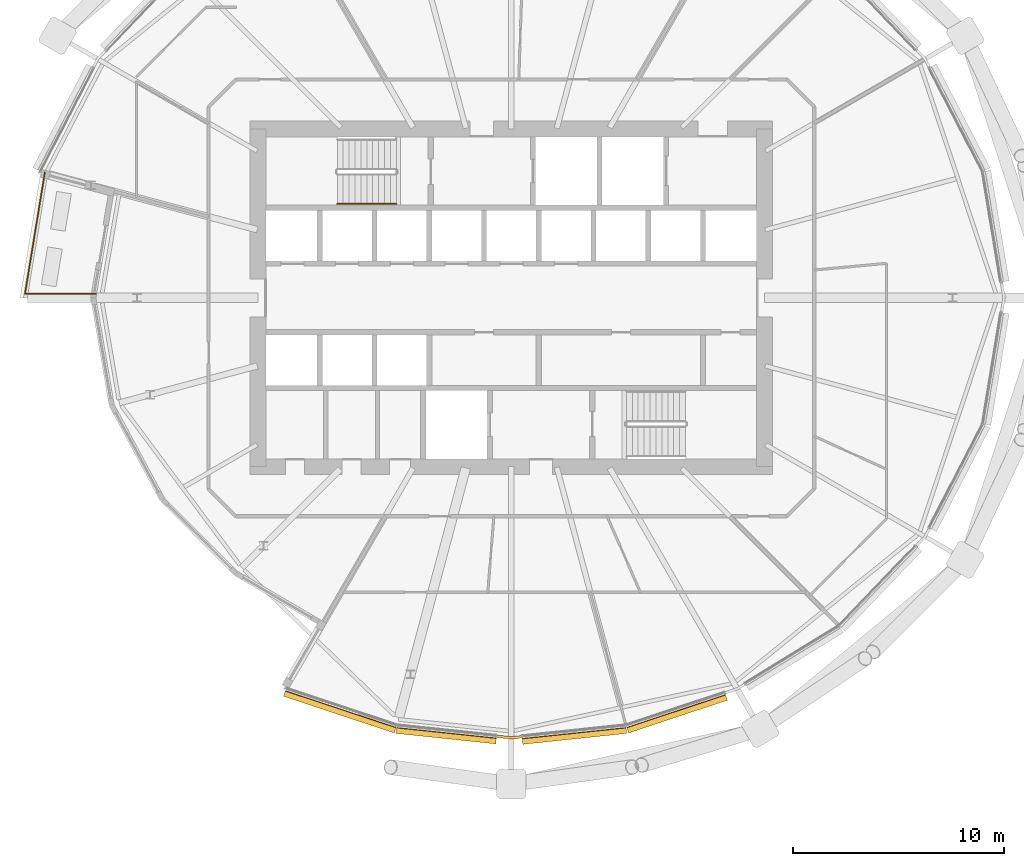
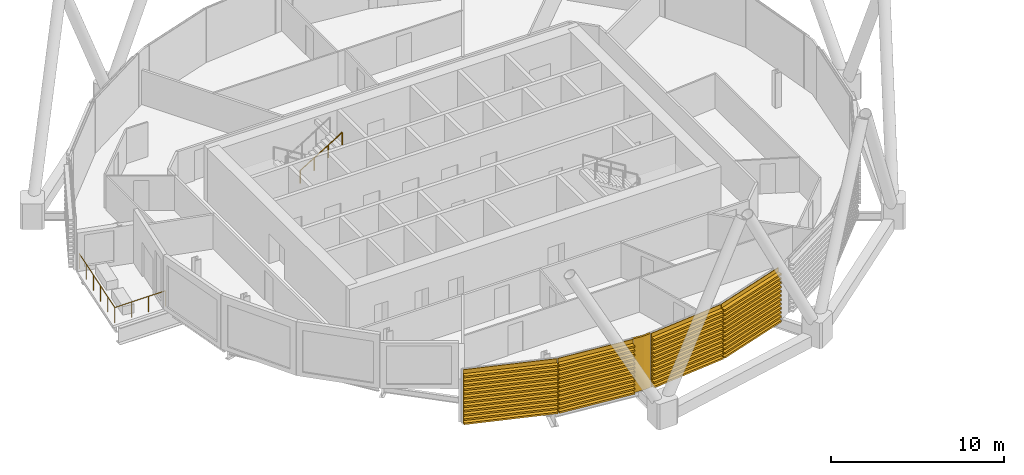
# One storey, part 32 of 38: 5 coverings, 2 railings.
"""IFC4 building model written with IfcOpenShell, lengths in metres."""

from ifc_helpers import new_model, si_unit, direction, frame, origin, origin_2d, place, context, subcontext, project, spatial, polyline, circle, outline, extrude, material, layer, layer_set, material_profile, profile_set, type_object, element, save


model = new_model("IFC4")

# Units and contexts
model_context = context("Model", 3, precision=1e-05, world=origin(), true_north=direction((0.0, 1.0)))
body_context = subcontext(model_context, "Body", "Model", "MODEL_VIEW")
ifc_project = project(units=[si_unit("LENGTHUNIT", "METRE"), si_unit("AREAUNIT", "SQUARE_METRE"), si_unit("VOLUMEUNIT", "CUBIC_METRE"), si_unit("PLANEANGLEUNIT", "RADIAN"), si_unit("MASSUNIT", "GRAM", prefix="KILO")], contexts=[model_context])

# Site, building, storey
site_placement = place(None, origin())
site = spatial("IfcSite", under=ifc_project, at=site_placement, CompositionType="ELEMENT")
building_placement = place(site_placement, origin())
building = spatial("IfcBuilding", under=site, at=building_placement, Name="Rimbun Link Towers", CompositionType="ELEMENT")
storey_placement = place(building_placement, frame((0.0, 0.0, 104.39990234375)))
storey = spatial("IfcBuildingStorey", under=building, at=storey_placement, Name="L25", CompositionType="ELEMENT", Elevation=104.39990234375)

# Railing
ifc_material_1 = material(Name="Stainless steel grade 316", Category="steel")
railing_type_1 = type_object("IfcRailingType", Name="GUARD stainless rail and posts", PredefinedType="GUARDRAIL", material=ifc_material_1)
railing_1_placement = place(storey_placement, frame((-53.852783203125, 5.94287109375, 0.0)))
element("IfcRailing", 1, at=railing_1_placement, inside=storey, type_object=railing_type_1, Name="GUARD", PredefinedType="GUARDRAIL", context=body_context, shape_type="SweptSolid", body=[
    extrude(circle(Radius=0.02392578125, at=origin_2d()), frame((0.0, 0.0, 1.076171875), z_axis=(-0.162255837365, -0.986748723456, 0.0), x_axis=(0.986748723456, -0.162255837365, 0.0)), (0.0, 0.0, 1.0), 5.820068359375),
    extrude(circle(Radius=0.02392578125, at=origin_2d()), frame((-0.9443359375, -5.742919921875, 1.076171875), z_axis=(1.0, 0.0, 0.0), x_axis=(0.0, 1.0, 0.0)), (0.0, 0.0, 1.0), 3.364501953125),
    extrude(circle(Radius=0.02099609375, at=origin_2d()), origin(), (0.0, 0.0, 1.0), 1.052001953125),
    extrude(circle(Radius=0.02099609375, at=origin_2d()), frame((-0.18896484375, -1.148681640625, 0.0)), (0.0, 0.0, 1.0), 1.052001953125),
    extrude(circle(Radius=0.02099609375, at=origin_2d()), frame((-0.377685546875, -2.297119140625, 0.0)), (0.0, 0.0, 1.0), 1.052001953125),
    extrude(circle(Radius=0.02099609375, at=origin_2d()), frame((-0.566650390625, -3.44580078125, 0.0)), (0.0, 0.0, 1.0), 1.052001953125),
    extrude(circle(Radius=0.02099609375, at=origin_2d()), frame((-0.75537109375, -4.59423828125, 0.0)), (0.0, 0.0, 1.0), 1.052001953125),
    extrude(circle(Radius=0.02099609375, at=origin_2d()), frame((-0.9443359375, -5.742919921875, 0.0)), (0.0, 0.0, 1.0), 1.052001953125),
    extrude(circle(Radius=0.02099609375, at=origin_2d()), frame((0.17724609375, -5.742919921875, 0.0)), (0.0, 0.0, 1.0), 1.052001953125),
    extrude(circle(Radius=0.02099609375, at=origin_2d()), frame((1.298583984375, -5.742919921875, 0.0)), (0.0, 0.0, 1.0), 1.052001953125),
    extrude(circle(Radius=0.02099609375, at=origin_2d()), frame((2.420166015625, -5.742919921875, 0.0)), (0.0, 0.0, 1.0), 1.052001953125),
])

# Covering
ifc_material_2 = material(Name="Terracotta", Category="masonry")
ifc_layer = layer(ifc_material_2, 0.1201171875)
ifc_layer_set = layer_set([ifc_layer], Name="LINK PIER terracotta cladding 120")
covering_type_1 = type_object("IfcCoveringType", Name="LINK PIER terracotta cladding 120", PredefinedType="CLADDING", material=ifc_layer_set)
covering_1_placement = place(storey_placement, origin())
element("IfcCovering", 2, at=covering_1_placement, inside=storey, type_object=covering_type_1, Name="LINK PIER cladding", PredefinedType="CLADDING", context=body_context, shape_type="SweptSolid", body=[
    extrude(outline(polyline([(-31.282470703125, -20.73876953125), (-31.75, -20.7880859375), (-32.416259765625, -20.7177734375), (-32.428955078125, -20.837158203125), (-31.75, -20.90869140625), (-31.27001953125, -20.858154296875), (-31.282470703125, -20.73876953125)])), origin(), (0.0, 0.0, 1.0), 3.800048828125),
])

# Railing
ifc_material_3 = material(Name="Stainless steel grade 316", Category="steel")
railing_type_2 = type_object("IfcRailingType", Name="Stair handrail", PredefinedType="HANDRAIL", material=ifc_material_3)
railing_2_placement = place(storey_placement, frame((-40.0, 4.449951171875, 2.07275390625)))
element("IfcRailing", 3, at=railing_2_placement, inside=storey, type_object=railing_type_2, Name="L25 ST1 stair handrail 2", PredefinedType="HANDRAIL", context=body_context, shape_type="SweptSolid", body=[
    extrude(circle(Radius=0.02392578125, at=origin_2d()), frame((0.0, 0.0, 0.8759765625), z_axis=(0.851089632645, 0.0, 0.525020415988), x_axis=(0.0, 1.0, 0.0)), (0.0, 0.0, 1.0), 3.2900390625),
    extrude(circle(Radius=0.02099609375, at=origin_2d()), origin(), (0.0, 0.0, 1.0), 0.851806640625),
    extrude(circle(Radius=0.02099609375, at=origin_2d()), frame((0.933349609375, 0.0, 0.57568359375)), (0.0, 0.0, 1.0), 0.851806640625),
    extrude(circle(Radius=0.02099609375, at=origin_2d()), frame((1.86669921875, 0.0, 1.151611328125)), (0.0, 0.0, 1.0), 0.851806640625),
    extrude(circle(Radius=0.02099609375, at=origin_2d()), frame((2.800048828125, 0.0, 1.727294921875)), (0.0, 0.0, 1.0), 0.851806640625),
])

# Coverings
ifc_material_4 = material(Name="Terracotta", Category="masonry")
ifc_material_profile = material_profile(ifc_material_4, outline(polyline([(0.123046875, 0.0), (0.1630859375, 0.0), (0.1630859375, 0.10009765625), (0.423095703125, 0.10009765625), (0.423095703125, 0.219970703125), (0.1630859375, 0.219970703125), (0.1630859375, 0.39990234375), (0.423095703125, 0.39990234375), (0.423095703125, 0.52001953125), (0.1630859375, 0.52001953125), (0.1630859375, 0.699951171875), (0.423095703125, 0.699951171875), (0.423095703125, 0.820068359375), (0.1630859375, 0.820068359375), (0.1630859375, 1.0), (0.423095703125, 1.0), (0.423095703125, 1.1201171875), (0.1630859375, 1.1201171875), (0.1630859375, 1.300048828125), (0.423095703125, 1.300048828125), (0.423095703125, 1.419921875), (0.1630859375, 1.419921875), (0.1630859375, 1.60009765625), (0.423095703125, 1.60009765625), (0.423095703125, 1.719970703125), (0.1630859375, 1.719970703125), (0.1630859375, 1.89990234375), (0.423095703125, 1.89990234375), (0.423095703125, 2.02001953125), (0.1630859375, 2.02001953125), (0.1630859375, 2.199951171875), (0.423095703125, 2.199951171875), (0.423095703125, 2.320068359375), (0.1630859375, 2.320068359375), (0.1630859375, 2.5), (0.423095703125, 2.5), (0.423095703125, 2.6201171875), (0.1630859375, 2.6201171875), (0.1630859375, 2.800048828125), (0.423095703125, 2.800048828125), (0.423095703125, 2.919921875), (0.1630859375, 2.919921875), (0.1630859375, 3.10009765625), (0.423095703125, 3.10009765625), (0.423095703125, 3.219970703125), (0.1630859375, 3.219970703125), (0.1630859375, 3.39990234375), (0.423095703125, 3.39990234375), (0.423095703125, 3.52001953125), (0.1630859375, 3.52001953125), (0.1630859375, 3.800048828125), (0.123046875, 3.800048828125), (0.123046875, 0.0)])), Name="BAGUETTE 120X300")
ifc_profile_set = profile_set([ifc_material_profile], Name="Terracotta")
covering_type_2 = type_object("IfcCoveringType", Name="TERRACOTTA BAGUETTE 120X300 H3800", PredefinedType="CLADDING", material=ifc_profile_set)
covering_2_placement = place(storey_placement, frame((-37.167236328125, -20.217529296875, 0.0), z_axis=(-0.949237947601, 0.314558927445, 0.0), x_axis=(-0.314558927445, -0.949237947601, 0.0)))
element("IfcCovering", 4, at=covering_2_placement, inside=storey, type_object=covering_type_2, Name="TERRACOTTA BAGUETTE", PredefinedType="CLADDING", context=body_context, shape_type="SweptSolid", body=[
    extrude(outline(polyline([(0.123046875, 0.0), (0.1630859375, 0.0), (0.1630859375, 0.10009765625), (0.423095703125, 0.10009765625), (0.423095703125, 0.219970703125), (0.1630859375, 0.219970703125), (0.1630859375, 0.39990234375), (0.423095703125, 0.39990234375), (0.423095703125, 0.52001953125), (0.1630859375, 0.52001953125), (0.1630859375, 0.699951171875), (0.423095703125, 0.699951171875), (0.423095703125, 0.820068359375), (0.1630859375, 0.820068359375), (0.1630859375, 1.0), (0.423095703125, 1.0), (0.423095703125, 1.1201171875), (0.1630859375, 1.1201171875), (0.1630859375, 1.300048828125), (0.423095703125, 1.300048828125), (0.423095703125, 1.419921875), (0.1630859375, 1.419921875), (0.1630859375, 1.60009765625), (0.423095703125, 1.60009765625), (0.423095703125, 1.719970703125), (0.1630859375, 1.719970703125), (0.1630859375, 1.89990234375), (0.423095703125, 1.89990234375), (0.423095703125, 2.02001953125), (0.1630859375, 2.02001953125), (0.1630859375, 2.199951171875), (0.423095703125, 2.199951171875), (0.423095703125, 2.320068359375), (0.1630859375, 2.320068359375), (0.1630859375, 2.5), (0.423095703125, 2.5), (0.423095703125, 2.6201171875), (0.1630859375, 2.6201171875), (0.1630859375, 2.800048828125), (0.423095703125, 2.800048828125), (0.423095703125, 2.919921875), (0.1630859375, 2.919921875), (0.1630859375, 3.10009765625), (0.423095703125, 3.10009765625), (0.423095703125, 3.219970703125), (0.1630859375, 3.219970703125), (0.1630859375, 3.39990234375), (0.423095703125, 3.39990234375), (0.423095703125, 3.52001953125), (0.1630859375, 3.52001953125), (0.1630859375, 3.800048828125), (0.123046875, 3.800048828125), (0.123046875, 0.0)])), origin(), (0.0, 0.0, 1.0), 5.531494140625),
])
covering_3_placement = place(storey_placement, frame((-32.446044921875, -20.714599609375, 0.0), z_axis=(-0.994503198339, 0.104706200839, 0.0), x_axis=(-0.104706200839, -0.994503198339, 0.0)))
element("IfcCovering", 5, at=covering_3_placement, inside=storey, type_object=covering_type_2, Name="TERRACOTTA BAGUETTE", PredefinedType="CLADDING", context=body_context, shape_type="SweptSolid", body=[
    extrude(outline(polyline([(0.123046875, 0.0), (0.1630859375, 0.0), (0.1630859375, 0.10009765625), (0.423095703125, 0.10009765625), (0.423095703125, 0.219970703125), (0.1630859375, 0.219970703125), (0.1630859375, 0.39990234375), (0.423095703125, 0.39990234375), (0.423095703125, 0.52001953125), (0.1630859375, 0.52001953125), (0.1630859375, 0.699951171875), (0.423095703125, 0.699951171875), (0.423095703125, 0.820068359375), (0.1630859375, 0.820068359375), (0.1630859375, 1.0), (0.423095703125, 1.0), (0.423095703125, 1.1201171875), (0.1630859375, 1.1201171875), (0.1630859375, 1.300048828125), (0.423095703125, 1.300048828125), (0.423095703125, 1.419921875), (0.1630859375, 1.419921875), (0.1630859375, 1.60009765625), (0.423095703125, 1.60009765625), (0.423095703125, 1.719970703125), (0.1630859375, 1.719970703125), (0.1630859375, 1.89990234375), (0.423095703125, 1.89990234375), (0.423095703125, 2.02001953125), (0.1630859375, 2.02001953125), (0.1630859375, 2.199951171875), (0.423095703125, 2.199951171875), (0.423095703125, 2.320068359375), (0.1630859375, 2.320068359375), (0.1630859375, 2.5), (0.423095703125, 2.5), (0.423095703125, 2.6201171875), (0.1630859375, 2.6201171875), (0.1630859375, 2.800048828125), (0.423095703125, 2.800048828125), (0.423095703125, 2.919921875), (0.1630859375, 2.919921875), (0.1630859375, 3.10009765625), (0.423095703125, 3.10009765625), (0.423095703125, 3.219970703125), (0.1630859375, 3.219970703125), (0.1630859375, 3.39990234375), (0.423095703125, 3.39990234375), (0.423095703125, 3.52001953125), (0.1630859375, 3.52001953125), (0.1630859375, 3.800048828125), (0.123046875, 3.800048828125), (0.123046875, 0.0)])), origin(), (0.0, 0.0, 1.0), 4.747314453125),
])
covering_4_placement = place(storey_placement, frame((-26.332763671875, -20.217529296875, 0.0), z_axis=(-0.994501666516, -0.104720749124, 0.0), x_axis=(0.104720749124, -0.994501666516, 0.0)))
element("IfcCovering", 6, at=covering_4_placement, inside=storey, type_object=covering_type_2, Name="TERRACOTTA BAGUETTE", PredefinedType="CLADDING", context=body_context, shape_type="SweptSolid", body=[
    extrude(outline(polyline([(0.123046875, 0.0), (0.1630859375, 0.0), (0.1630859375, 0.10009765625), (0.423095703125, 0.10009765625), (0.423095703125, 0.219970703125), (0.1630859375, 0.219970703125), (0.1630859375, 0.39990234375), (0.423095703125, 0.39990234375), (0.423095703125, 0.52001953125), (0.1630859375, 0.52001953125), (0.1630859375, 0.699951171875), (0.423095703125, 0.699951171875), (0.423095703125, 0.820068359375), (0.1630859375, 0.820068359375), (0.1630859375, 1.0), (0.423095703125, 1.0), (0.423095703125, 1.1201171875), (0.1630859375, 1.1201171875), (0.1630859375, 1.300048828125), (0.423095703125, 1.300048828125), (0.423095703125, 1.419921875), (0.1630859375, 1.419921875), (0.1630859375, 1.60009765625), (0.423095703125, 1.60009765625), (0.423095703125, 1.719970703125), (0.1630859375, 1.719970703125), (0.1630859375, 1.89990234375), (0.423095703125, 1.89990234375), (0.423095703125, 2.02001953125), (0.1630859375, 2.02001953125), (0.1630859375, 2.199951171875), (0.423095703125, 2.199951171875), (0.423095703125, 2.320068359375), (0.1630859375, 2.320068359375), (0.1630859375, 2.5), (0.423095703125, 2.5), (0.423095703125, 2.6201171875), (0.1630859375, 2.6201171875), (0.1630859375, 2.800048828125), (0.423095703125, 2.800048828125), (0.423095703125, 2.919921875), (0.1630859375, 2.919921875), (0.1630859375, 3.10009765625), (0.423095703125, 3.10009765625), (0.423095703125, 3.219970703125), (0.1630859375, 3.219970703125), (0.1630859375, 3.39990234375), (0.423095703125, 3.39990234375), (0.423095703125, 3.52001953125), (0.1630859375, 3.52001953125), (0.1630859375, 3.800048828125), (0.123046875, 3.800048828125), (0.123046875, 0.0)])), origin(), (0.0, 0.0, 1.0), 4.947021484375),
])
covering_5_placement = place(storey_placement, frame((-21.651611328125, -18.666259765625, 0.0), z_axis=(-0.949236311766, -0.314563863824, 0.0), x_axis=(0.314563863824, -0.949236311766, 0.0)))
element("IfcCovering", 7, at=covering_5_placement, inside=storey, type_object=covering_type_2, Name="TERRACOTTA BAGUETTE", PredefinedType="CLADDING", context=body_context, shape_type="SweptSolid", body=[
    extrude(outline(polyline([(0.123046875, 0.0), (0.1630859375, 0.0), (0.1630859375, 0.10009765625), (0.423095703125, 0.10009765625), (0.423095703125, 0.219970703125), (0.1630859375, 0.219970703125), (0.1630859375, 0.39990234375), (0.423095703125, 0.39990234375), (0.423095703125, 0.52001953125), (0.1630859375, 0.52001953125), (0.1630859375, 0.699951171875), (0.423095703125, 0.699951171875), (0.423095703125, 0.820068359375), (0.1630859375, 0.820068359375), (0.1630859375, 1.0), (0.423095703125, 1.0), (0.423095703125, 1.1201171875), (0.1630859375, 1.1201171875), (0.1630859375, 1.300048828125), (0.423095703125, 1.300048828125), (0.423095703125, 1.419921875), (0.1630859375, 1.419921875), (0.1630859375, 1.60009765625), (0.423095703125, 1.60009765625), (0.423095703125, 1.719970703125), (0.1630859375, 1.719970703125), (0.1630859375, 1.89990234375), (0.423095703125, 1.89990234375), (0.423095703125, 2.02001953125), (0.1630859375, 2.02001953125), (0.1630859375, 2.199951171875), (0.423095703125, 2.199951171875), (0.423095703125, 2.320068359375), (0.1630859375, 2.320068359375), (0.1630859375, 2.5), (0.423095703125, 2.5), (0.423095703125, 2.6201171875), (0.1630859375, 2.6201171875), (0.1630859375, 2.800048828125), (0.423095703125, 2.800048828125), (0.423095703125, 2.919921875), (0.1630859375, 2.919921875), (0.1630859375, 3.10009765625), (0.423095703125, 3.10009765625), (0.423095703125, 3.219970703125), (0.1630859375, 3.219970703125), (0.1630859375, 3.39990234375), (0.423095703125, 3.39990234375), (0.423095703125, 3.52001953125), (0.1630859375, 3.52001953125), (0.1630859375, 3.800048828125), (0.123046875, 3.800048828125), (0.123046875, 0.0)])), origin(), (0.0, 0.0, 1.0), 4.931396484375),
])

save(model, "model.ifc")
